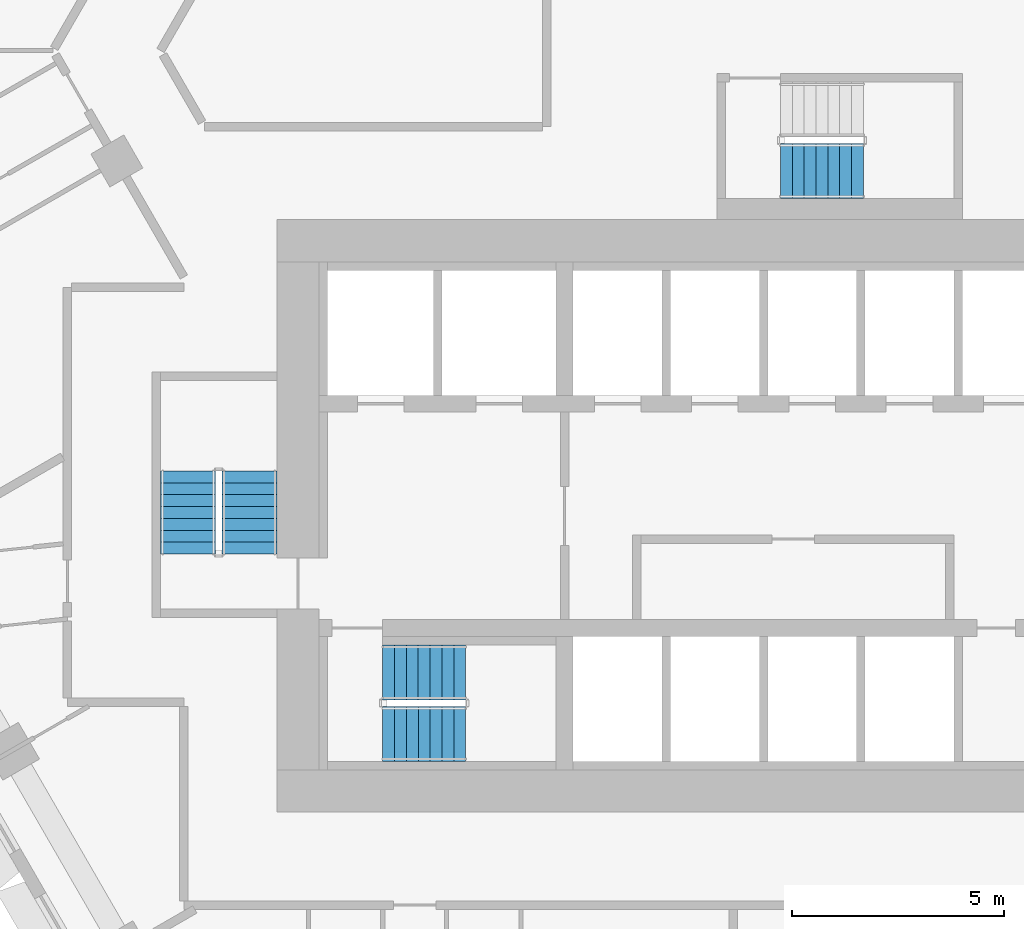
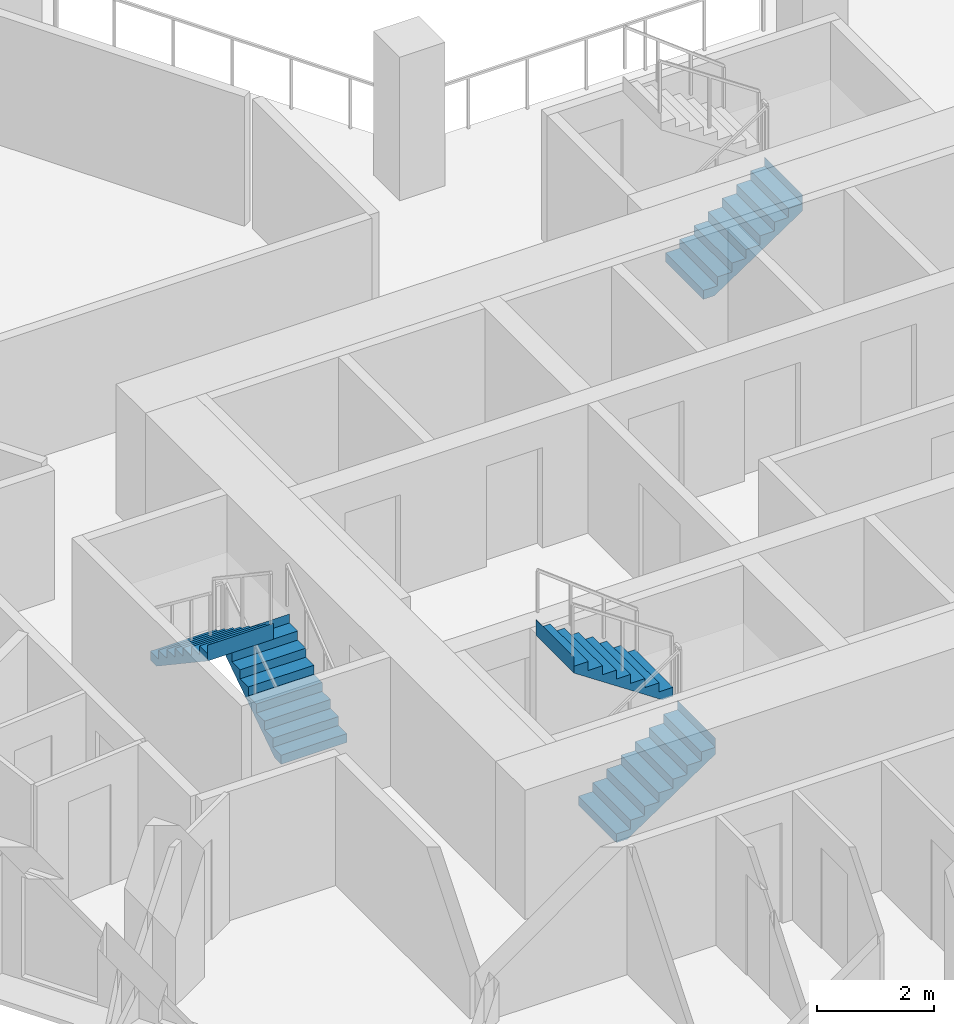
# One storey, part 13 of 18: 5 stair flights, 3 elements without a shape of their own.
"""IFC4 building model written with IfcOpenShell, lengths in metres."""

import ifcopenshell
import ifcopenshell.guid

model = None  # the IFC model being written
_history = None  # IfcOwnerHistory: only IFC2X3 demands one
_inside = {}  # id of a spatial element -> (the spatial element, [elements in it])
_under = {}  # id of a project, library or spatial element -> (it, [spatial elements below it])
_declared = {}  # id of a project -> (the project, [libraries it declares])
_typed = {}  # id of a type object -> (the type object, [elements of that type])
_made_of = {}  # id of a material, layer set ... -> (it, [elements and type objects made of it])


def new_model(schema):
    """Start an empty IFC model of exactly this schema.

    Asked for "IFC4X3", IfcOpenShell would pick the latest addendum, in which some entities
    have other attributes; the version numbers below select the first issue.
    IFC2X3 requires an IfcOwnerHistory on every rooted entity: one is made here for all.
    """
    global model, _history
    if schema == "IFC4X3":
        model = ifcopenshell.file(schema_version=(4, 3, 0, 0))
    else:
        model = ifcopenshell.file(schema=schema)
    _inside.clear()
    _under.clear()
    _declared.clear()
    _typed.clear()
    _made_of.clear()
    _history = None
    if model.schema == "IFC2X3":
        org = make("IfcOrganization", Name="unknown")
        user = make(
            "IfcPersonAndOrganization",
            ThePerson=make("IfcPerson", FamilyName="unknown"),
            TheOrganization=org,
        )
        app = make(
            "IfcApplication",
            ApplicationDeveloper=org,
            Version="unknown",
            ApplicationFullName="unknown",
            ApplicationIdentifier="unknown",
        )
        _history = make(
            "IfcOwnerHistory",
            OwningUser=user,
            OwningApplication=app,
            ChangeAction="ADDED",
            CreationDate=0,
        )
    return model


def make(cls, **values):
    """One entity of the class cls with the attributes given. An attribute that is None is left unset."""
    return model.create_entity(
        cls, **{name: value for name, value in values.items() if value is not None}
    )


def rooted(cls, **values):
    """An entity with a GlobalId (a new one), such as an element, a storey or a relation."""
    return make(cls, GlobalId=ifcopenshell.guid.new(), OwnerHistory=_history, **values)


def si_unit(unit_type, name, prefix=None):
    """IfcSIUnit, for example si_unit("LENGTHUNIT", "METRE", prefix="MILLI")."""
    return make("IfcSIUnit", UnitType=unit_type, Prefix=prefix, Name=name)


def assignment(units):
    """IfcUnitAssignment: the units of a project."""
    return None if units is None else make("IfcUnitAssignment", Units=units)


def point(xyz):
    """IfcCartesianPoint."""
    return None if xyz is None else make("IfcCartesianPoint", Coordinates=xyz)


def direction(xyz):
    """IfcDirection."""
    return None if xyz is None else make("IfcDirection", DirectionRatios=xyz)


def frame(location, z_axis=None, x_axis=None):
    """IfcAxis2Placement3D, a coordinate frame: its origin and axes. An axis left out is left unset."""
    return make(
        "IfcAxis2Placement3D",
        Location=point(location),
        Axis=direction(z_axis),
        RefDirection=direction(x_axis),
    )


def origin():
    """The frame at (0, 0, 0) with its axes left unset."""
    return frame((0.0, 0.0, 0.0))


def place(relative_to, where):
    """IfcLocalPlacement: puts the frame where relative to a parent placement (None: the world)."""
    return make(
        "IfcLocalPlacement", PlacementRelTo=relative_to, RelativePlacement=where
    )


def context(
    kind, dimensions, precision=None, world=None, true_north=None, identifier=None
):
    """IfcGeometricRepresentationContext, for example the 3D "Model" context."""
    return make(
        "IfcGeometricRepresentationContext",
        ContextIdentifier=identifier,
        ContextType=kind,
        CoordinateSpaceDimension=dimensions,
        Precision=precision,
        WorldCoordinateSystem=world,
        TrueNorth=true_north,
    )


def subcontext(parent, identifier, kind, view, scale=None):
    """IfcGeometricRepresentationSubContext, for example "Body" below "Model"."""
    return make(
        "IfcGeometricRepresentationSubContext",
        ContextIdentifier=identifier,
        ContextType=kind,
        ParentContext=parent,
        TargetScale=scale,
        TargetView=view,
    )


def project(units=None, contexts=None):
    """IfcProject with its units and contexts."""
    return rooted(
        "IfcProject",
        Name="project",
        RepresentationContexts=contexts,
        UnitsInContext=assignment(units),
    )


def spatial(cls, under=None, at=None, **own):
    """A site, building, storey or space (cls), placed at a placement, below another one or the project."""
    s = rooted(cls, ObjectPlacement=at, **own)
    if under is not None:
        _under.setdefault(under.id(), (under, []))[1].append(s)
    return s


def point_list(points):
    """IfcCartesianPointList2D or 3D."""
    cls = (
        "IfcCartesianPointList2D" if len(points[0]) == 2 else "IfcCartesianPointList3D"
    )
    return make(cls, CoordList=points)


def triangles(points, corners, closed=None, point_numbers=None):
    """IfcTriangulatedFaceSet: each triangle names its three corners, points numbered from 1."""
    return make(
        "IfcTriangulatedFaceSet",
        Coordinates=point_list(points),
        Closed=closed,
        CoordIndex=corners,
        PnIndex=point_numbers,
    )


def shape(context_of_items, identifier, shape_type, items):
    """IfcShapeRepresentation: the items that make up one representation, for example the "Body"."""
    return make(
        "IfcShapeRepresentation",
        ContextOfItems=context_of_items,
        RepresentationIdentifier=identifier,
        RepresentationType=shape_type,
        Items=items,
    )


def material(Name=None, Category=None):
    """IfcMaterial."""
    return make("IfcMaterial", Name=Name, Category=Category)


def made_of(thing, what):
    """Note that an element or type object is made of a material, layer set ...; save() writes the relation."""
    if what is not None:
        _made_of.setdefault(what.id(), (what, []))[1].append(thing)
    return thing


def type_object(cls, material=None, **own):
    """A type object (cls), such as IfcWallType, which elements share."""
    return made_of(rooted(cls, **own), material)


def element(
    cls,
    number,
    at=None,
    inside=None,
    cuts=None,
    type_object=None,
    material=None,
    context=None,
    identifier="Body",
    shape_type=None,
    held_by="IfcProductDefinitionShape",
    body=None,
    shapes=None,
    **own,
):
    """One element of the class cls, such as IfcWall. Its Tag is "e" and its number.

    at: its placement. inside: the storey or other place that contains it. cuts: it is an
    opening in that element (IfcRelVoidsElement). A single representation is given by context,
    identifier, shape_type and body (its items); several are given by shapes. held_by: the class
    of the entity that holds the representations. save() writes the other relations.
    """
    e = rooted(cls, Tag="e%d" % number, ObjectPlacement=at, **own)
    if body is not None:
        shapes = [shape(context, identifier, shape_type, body)]
    if shapes is not None:
        e.Representation = make(held_by, Representations=shapes)
    if inside is not None:
        _inside.setdefault(inside.id(), (inside, []))[1].append(e)
    if cuts is not None:
        rooted(
            "IfcRelVoidsElement", RelatingBuildingElement=cuts, RelatedOpeningElement=e
        )
    if type_object is not None:
        _typed.setdefault(type_object.id(), (type_object, []))[1].append(e)
    return made_of(e, material)


def aggregate(whole, parts):
    """IfcRelAggregates: a whole, such as a stair, and the parts it consists of."""
    return rooted("IfcRelAggregates", RelatingObject=whole, RelatedObjects=parts)


def save(model, path):
    """Write the relations noted so far, then the file.

    IfcRelAggregates (storeys below a building ...), IfcRelContainedInSpatialStructure (elements
    in a storey), IfcRelDefinesByType, IfcRelAssociatesMaterial and IfcRelDeclares: one each for
    every whole, place, type object, material and project.
    """
    for whole, parts in _under.values():
        aggregate(whole, parts)
    for where, things in _inside.values():
        rooted(
            "IfcRelContainedInSpatialStructure",
            RelatedElements=things,
            RelatingStructure=where,
        )
    for kind, things in _typed.values():
        rooted("IfcRelDefinesByType", RelatedObjects=things, RelatingType=kind)
    for what, things in _made_of.values():
        rooted("IfcRelAssociatesMaterial", RelatedObjects=things, RelatingMaterial=what)
    for by, libraries in _declared.values():
        rooted("IfcRelDeclares", RelatingContext=by, RelatedDefinitions=libraries)
    model.write(path)


model = new_model("IFC4")

# Units and contexts
model_context = context("Model", 3, precision=1e-05, world=origin(), true_north=direction((0.0, 1.0)))
body_context = subcontext(model_context, "Body", "Model", "MODEL_VIEW")
ifc_project = project(units=[si_unit("LENGTHUNIT", "METRE"), si_unit("AREAUNIT", "SQUARE_METRE"), si_unit("VOLUMEUNIT", "CUBIC_METRE"), si_unit("PLANEANGLEUNIT", "RADIAN"), si_unit("MASSUNIT", "GRAM", prefix="KILO")], contexts=[model_context])

# Site, building, storey
site_placement = place(None, origin())
site = spatial("IfcSite", under=ifc_project, at=site_placement, CompositionType="ELEMENT")
building_placement = place(site_placement, origin())
building = spatial("IfcBuilding", under=site, at=building_placement, Name="Beryl Residences", CompositionType="ELEMENT")
storey_placement = place(building_placement, frame((0.0, 0.0, 87.0)))
storey = spatial("IfcBuildingStorey", under=building, at=storey_placement, Name="L26", CompositionType="ELEMENT", Elevation=87.0)

# Stair, stair flights
ifc_material_1 = material(Name="Concrete C40/50", Category="concrete")
stair_type = type_object("IfcStairType", Name="ST1 protected exit stair, half-turn, 1300 mm flights", PredefinedType="HALF_TURN_STAIR", material=ifc_material_1)
stair_1_placement = place(storey_placement, origin())
stair_1 = element("IfcStair", 1, at=stair_1_placement, inside=storey, type_object=stair_type, Name="L26 PROTECTED EXIT STAIR ST-1", PredefinedType="HALF_TURN_STAIR")
ifc_material_2 = material(Name="Concrete C40/50", Category="concrete")
stair_flight_type = type_object("IfcStairFlightType", Name="SF1 stair flight 1300 mm", PredefinedType="STRAIGHT", material=ifc_material_2)
stair_flight_1_placement = place(storey_placement, frame((-10.800048828125, -17.14990234375, 0.0), z_axis=(0.0, 0.0, 1.0), x_axis=(1.0, 0.0, 0.0)))
stair_flight_1 = element("IfcStairFlight", 2, at=stair_flight_1_placement, type_object=stair_flight_type, Name="ST-1 flight 1", NumberOfRisers=8, NumberOfTreads=7, PredefinedType="STRAIGHT", RiserHeight=0.1875, TreadLength=0.28, context=body_context, shape_type="Tessellation", body=[
    triangles([(0.0, -0.64990234375, 0.0), (0.0, -0.324951171875, 0.0), (0.0, 0.0, 0.0), (0.0, 0.324951171875, 0.0), (0.0, 0.64990234375, 0.0), (0.0, -0.64990234375, 0.1875), (0.0, -0.324951171875, 0.1875), (0.0, 0.0, 0.1875), (0.0, 0.324951171875, 0.1875), (0.0, 0.64990234375, 0.1875), (0.280029296875, -0.64990234375, 0.1875), (0.280029296875, -0.324951171875, 0.1875), (0.280029296875, 0.0, 0.1875), (0.280029296875, 0.324951171875, 0.1875), (0.280029296875, 0.64990234375, 0.1875), (0.280029296875, -0.64990234375, 0.375), (0.280029296875, -0.324951171875, 0.375), (0.280029296875, 0.0, 0.375), (0.280029296875, 0.324951171875, 0.375), (0.280029296875, 0.64990234375, 0.375), (0.56005859375, -0.64990234375, 0.375), (0.56005859375, -0.324951171875, 0.375), (0.56005859375, 0.0, 0.375), (0.56005859375, 0.324951171875, 0.375), (0.56005859375, 0.64990234375, 0.375), (0.56005859375, -0.64990234375, 0.5625), (0.56005859375, -0.324951171875, 0.5625), (0.56005859375, 0.0, 0.5625), (0.56005859375, 0.324951171875, 0.5625), (0.56005859375, 0.64990234375, 0.5625), (0.840087890625, -0.64990234375, 0.5625), (0.840087890625, -0.324951171875, 0.5625), (0.840087890625, 0.0, 0.5625), (0.840087890625, 0.324951171875, 0.5625), (0.840087890625, 0.64990234375, 0.5625), (0.840087890625, -0.64990234375, 0.75), (0.840087890625, -0.324951171875, 0.75), (0.840087890625, 0.0, 0.75), (0.840087890625, 0.324951171875, 0.75), (0.840087890625, 0.64990234375, 0.75), (1.1201171875, -0.64990234375, 0.75), (1.1201171875, -0.324951171875, 0.75), (1.1201171875, 0.0, 0.75), (1.1201171875, 0.324951171875, 0.75), (1.1201171875, 0.64990234375, 0.75), (1.1201171875, -0.64990234375, 0.9375), (1.1201171875, -0.324951171875, 0.9375), (1.1201171875, 0.0, 0.9375), (1.1201171875, 0.324951171875, 0.9375), (1.1201171875, 0.64990234375, 0.9375), (1.39990234375, -0.64990234375, 0.9375), (1.39990234375, -0.324951171875, 0.9375), (1.39990234375, 0.0, 0.9375), (1.39990234375, 0.324951171875, 0.9375), (1.39990234375, 0.64990234375, 0.9375), (1.39990234375, -0.64990234375, 1.125), (1.39990234375, -0.324951171875, 1.125), (1.39990234375, 0.0, 1.125), (1.39990234375, 0.324951171875, 1.125), (1.39990234375, 0.64990234375, 1.125), (1.679931640625, -0.64990234375, 1.125), (1.679931640625, -0.324951171875, 1.125), (1.679931640625, 0.0, 1.125), (1.679931640625, 0.324951171875, 1.125), (1.679931640625, 0.64990234375, 1.125), (1.679931640625, -0.64990234375, 1.3125), (1.679931640625, -0.324951171875, 1.3125), (1.679931640625, 0.0, 1.3125), (1.679931640625, 0.324951171875, 1.3125), (1.679931640625, 0.64990234375, 1.3125), (1.9599609375, -0.64990234375, 1.3125), (1.9599609375, -0.324951171875, 1.3125), (1.9599609375, 0.0, 1.3125), (1.9599609375, 0.324951171875, 1.3125), (1.9599609375, 0.64990234375, 1.3125), (1.9599609375, -0.64990234375, 1.5), (1.9599609375, -0.324951171875, 1.5), (1.9599609375, 0.0, 1.5), (1.9599609375, 0.324951171875, 1.5), (1.9599609375, 0.64990234375, 1.5), (1.9609375, -0.64990234375, 1.5), (1.9609375, -0.324951171875, 1.5), (1.9609375, 0.0, 1.5), (1.9609375, 0.324951171875, 1.5), (1.9609375, 0.64990234375, 1.5), (1.9609375, -0.64990234375, 1.16796875), (1.9609375, -0.324951171875, 1.16796875), (1.9609375, 0.0, 1.16796875), (1.9609375, 0.324951171875, 1.16796875), (1.9609375, 0.64990234375, 1.16796875), (0.216796875, -0.64990234375, 0.0), (0.216796875, -0.324951171875, 0.0), (0.216796875, 0.0, 0.0), (0.216796875, 0.324951171875, 0.0), (0.216796875, 0.64990234375, 0.0)], [[1, 6, 7], [1, 7, 2], [2, 7, 8], [2, 8, 3], [3, 8, 9], [3, 9, 4], [4, 9, 10], [4, 10, 5], [6, 11, 12], [6, 12, 7], [7, 12, 13], [7, 13, 8], [8, 13, 14], [8, 14, 9], [9, 14, 15], [9, 15, 10], [11, 16, 17], [11, 17, 12], [12, 17, 18], [12, 18, 13], [13, 18, 19], [13, 19, 14], [14, 19, 20], [14, 20, 15], [16, 21, 22], [16, 22, 17], [17, 22, 23], [17, 23, 18], [18, 23, 24], [18, 24, 19], [19, 24, 25], [19, 25, 20], [21, 26, 27], [21, 27, 22], [22, 27, 28], [22, 28, 23], [23, 28, 29], [23, 29, 24], [24, 29, 30], [24, 30, 25], [26, 31, 32], [26, 32, 27], [27, 32, 33], [27, 33, 28], [28, 33, 34], [28, 34, 29], [29, 34, 35], [29, 35, 30], [31, 36, 37], [31, 37, 32], [32, 37, 38], [32, 38, 33], [33, 38, 39], [33, 39, 34], [34, 39, 40], [34, 40, 35], [36, 41, 42], [36, 42, 37], [37, 42, 43], [37, 43, 38], [38, 43, 44], [38, 44, 39], [39, 44, 45], [39, 45, 40], [41, 46, 47], [41, 47, 42], [42, 47, 48], [42, 48, 43], [43, 48, 49], [43, 49, 44], [44, 49, 50], [44, 50, 45], [46, 51, 52], [46, 52, 47], [47, 52, 53], [47, 53, 48], [48, 53, 54], [48, 54, 49], [49, 54, 55], [49, 55, 50], [51, 56, 57], [51, 57, 52], [52, 57, 58], [52, 58, 53], [53, 58, 59], [53, 59, 54], [54, 59, 60], [54, 60, 55], [56, 61, 62], [56, 62, 57], [57, 62, 63], [57, 63, 58], [58, 63, 64], [58, 64, 59], [59, 64, 65], [59, 65, 60], [61, 66, 67], [61, 67, 62], [62, 67, 68], [62, 68, 63], [63, 68, 69], [63, 69, 64], [64, 69, 70], [64, 70, 65], [66, 71, 72], [66, 72, 67], [67, 72, 73], [67, 73, 68], [68, 73, 74], [68, 74, 69], [69, 74, 75], [69, 75, 70], [71, 76, 77], [71, 77, 72], [72, 77, 78], [72, 78, 73], [73, 78, 79], [73, 79, 74], [74, 79, 80], [74, 80, 75], [76, 81, 82], [76, 82, 77], [77, 82, 83], [77, 83, 78], [78, 83, 84], [78, 84, 79], [79, 84, 85], [79, 85, 80], [81, 86, 87], [81, 87, 82], [82, 87, 88], [82, 88, 83], [83, 88, 89], [83, 89, 84], [84, 89, 90], [84, 90, 85], [86, 91, 92], [86, 92, 87], [87, 92, 93], [87, 93, 88], [88, 93, 94], [88, 94, 89], [89, 94, 95], [89, 95, 90], [91, 1, 2], [91, 2, 92], [92, 2, 3], [92, 3, 93], [93, 3, 4], [93, 4, 94], [94, 4, 5], [94, 5, 95], [1, 91, 86], [5, 90, 95], [86, 81, 76], [90, 80, 85], [86, 76, 71], [90, 75, 80], [86, 71, 66], [90, 70, 75], [86, 66, 61], [90, 65, 70], [61, 56, 51], [65, 55, 60], [86, 61, 51], [90, 55, 65], [51, 46, 41], [55, 45, 50], [86, 51, 41], [90, 45, 55], [41, 36, 31], [45, 35, 40], [86, 41, 31], [90, 35, 45], [31, 26, 21], [35, 25, 30], [86, 31, 21], [90, 25, 35], [21, 16, 11], [25, 15, 20], [86, 21, 11], [90, 15, 25], [1, 86, 11], [5, 15, 90], [11, 6, 1], [15, 5, 10]], closed=True),
])
stair_flight_2_placement = place(storey_placement, frame((-8.840087890625, -15.699951171875, 1.5), z_axis=(0.0, 0.0, 1.0), x_axis=(-1.0, 0.0, 0.0)))
stair_flight_2 = element("IfcStairFlight", 3, at=stair_flight_2_placement, type_object=stair_flight_type, Name="ST-1 flight 2", NumberOfRisers=8, NumberOfTreads=7, PredefinedType="STRAIGHT", RiserHeight=0.1875, TreadLength=0.28, context=body_context, shape_type="Tessellation", body=[
    triangles([(0.0, -0.64990234375, 0.0), (0.0, -0.324951171875, 0.0), (0.0, 0.0, 0.0), (0.0, 0.324951171875, 0.0), (0.0, 0.64990234375, 0.0), (0.0, -0.64990234375, 0.1875), (0.0, -0.324951171875, 0.1875), (0.0, 0.0, 0.1875), (0.0, 0.324951171875, 0.1875), (0.0, 0.64990234375, 0.1875), (0.280029296875, -0.64990234375, 0.1875), (0.280029296875, -0.324951171875, 0.1875), (0.280029296875, 0.0, 0.1875), (0.280029296875, 0.324951171875, 0.1875), (0.280029296875, 0.64990234375, 0.1875), (0.280029296875, -0.64990234375, 0.375), (0.280029296875, -0.324951171875, 0.375), (0.280029296875, 0.0, 0.375), (0.280029296875, 0.324951171875, 0.375), (0.280029296875, 0.64990234375, 0.375), (0.56005859375, -0.64990234375, 0.375), (0.56005859375, -0.324951171875, 0.375), (0.56005859375, 0.0, 0.375), (0.56005859375, 0.324951171875, 0.375), (0.56005859375, 0.64990234375, 0.375), (0.56005859375, -0.64990234375, 0.5625), (0.56005859375, -0.324951171875, 0.5625), (0.56005859375, 0.0, 0.5625), (0.56005859375, 0.324951171875, 0.5625), (0.56005859375, 0.64990234375, 0.5625), (0.840087890625, -0.64990234375, 0.5625), (0.840087890625, -0.324951171875, 0.5625), (0.840087890625, 0.0, 0.5625), (0.840087890625, 0.324951171875, 0.5625), (0.840087890625, 0.64990234375, 0.5625), (0.840087890625, -0.64990234375, 0.75), (0.840087890625, -0.324951171875, 0.75), (0.840087890625, 0.0, 0.75), (0.840087890625, 0.324951171875, 0.75), (0.840087890625, 0.64990234375, 0.75), (1.1201171875, -0.64990234375, 0.75), (1.1201171875, -0.324951171875, 0.75), (1.1201171875, 0.0, 0.75), (1.1201171875, 0.324951171875, 0.75), (1.1201171875, 0.64990234375, 0.75), (1.1201171875, -0.64990234375, 0.9375), (1.1201171875, -0.324951171875, 0.9375), (1.1201171875, 0.0, 0.9375), (1.1201171875, 0.324951171875, 0.9375), (1.1201171875, 0.64990234375, 0.9375), (1.39990234375, -0.64990234375, 0.9375), (1.39990234375, -0.324951171875, 0.9375), (1.39990234375, 0.0, 0.9375), (1.39990234375, 0.324951171875, 0.9375), (1.39990234375, 0.64990234375, 0.9375), (1.39990234375, -0.64990234375, 1.125), (1.39990234375, -0.324951171875, 1.125), (1.39990234375, 0.0, 1.125), (1.39990234375, 0.324951171875, 1.125), (1.39990234375, 0.64990234375, 1.125), (1.679931640625, -0.64990234375, 1.125), (1.679931640625, -0.324951171875, 1.125), (1.679931640625, 0.0, 1.125), (1.679931640625, 0.324951171875, 1.125), (1.679931640625, 0.64990234375, 1.125), (1.679931640625, -0.64990234375, 1.3125), (1.679931640625, -0.324951171875, 1.3125), (1.679931640625, 0.0, 1.3125), (1.679931640625, 0.324951171875, 1.3125), (1.679931640625, 0.64990234375, 1.3125), (1.9599609375, -0.64990234375, 1.3125), (1.9599609375, -0.324951171875, 1.3125), (1.9599609375, 0.0, 1.3125), (1.9599609375, 0.324951171875, 1.3125), (1.9599609375, 0.64990234375, 1.3125), (1.9599609375, -0.64990234375, 1.5), (1.9599609375, -0.324951171875, 1.5), (1.9599609375, 0.0, 1.5), (1.9599609375, 0.324951171875, 1.5), (1.9599609375, 0.64990234375, 1.5), (1.9609375, -0.64990234375, 1.5), (1.9609375, -0.324951171875, 1.5), (1.9609375, 0.0, 1.5), (1.9609375, 0.324951171875, 1.5), (1.9609375, 0.64990234375, 1.5), (1.9609375, -0.64990234375, 1.16796875), (1.9609375, -0.324951171875, 1.16796875), (1.9609375, 0.0, 1.16796875), (1.9609375, 0.324951171875, 1.16796875), (1.9609375, 0.64990234375, 1.16796875), (0.216796875, -0.64990234375, 0.0), (0.216796875, -0.324951171875, 0.0), (0.216796875, 0.0, 0.0), (0.216796875, 0.324951171875, 0.0), (0.216796875, 0.64990234375, 0.0)], [[1, 6, 7], [1, 7, 2], [2, 7, 8], [2, 8, 3], [3, 8, 9], [3, 9, 4], [4, 9, 10], [4, 10, 5], [6, 11, 12], [6, 12, 7], [7, 12, 13], [7, 13, 8], [8, 13, 14], [8, 14, 9], [9, 14, 15], [9, 15, 10], [11, 16, 17], [11, 17, 12], [12, 17, 18], [12, 18, 13], [13, 18, 19], [13, 19, 14], [14, 19, 20], [14, 20, 15], [16, 21, 22], [16, 22, 17], [17, 22, 23], [17, 23, 18], [18, 23, 24], [18, 24, 19], [19, 24, 25], [19, 25, 20], [21, 26, 27], [21, 27, 22], [22, 27, 28], [22, 28, 23], [23, 28, 29], [23, 29, 24], [24, 29, 30], [24, 30, 25], [26, 31, 32], [26, 32, 27], [27, 32, 33], [27, 33, 28], [28, 33, 34], [28, 34, 29], [29, 34, 35], [29, 35, 30], [31, 36, 37], [31, 37, 32], [32, 37, 38], [32, 38, 33], [33, 38, 39], [33, 39, 34], [34, 39, 40], [34, 40, 35], [36, 41, 42], [36, 42, 37], [37, 42, 43], [37, 43, 38], [38, 43, 44], [38, 44, 39], [39, 44, 45], [39, 45, 40], [41, 46, 47], [41, 47, 42], [42, 47, 48], [42, 48, 43], [43, 48, 49], [43, 49, 44], [44, 49, 50], [44, 50, 45], [46, 51, 52], [46, 52, 47], [47, 52, 53], [47, 53, 48], [48, 53, 54], [48, 54, 49], [49, 54, 55], [49, 55, 50], [51, 56, 57], [51, 57, 52], [52, 57, 58], [52, 58, 53], [53, 58, 59], [53, 59, 54], [54, 59, 60], [54, 60, 55], [56, 61, 62], [56, 62, 57], [57, 62, 63], [57, 63, 58], [58, 63, 64], [58, 64, 59], [59, 64, 65], [59, 65, 60], [61, 66, 67], [61, 67, 62], [62, 67, 68], [62, 68, 63], [63, 68, 69], [63, 69, 64], [64, 69, 70], [64, 70, 65], [66, 71, 72], [66, 72, 67], [67, 72, 73], [67, 73, 68], [68, 73, 74], [68, 74, 69], [69, 74, 75], [69, 75, 70], [71, 76, 77], [71, 77, 72], [72, 77, 78], [72, 78, 73], [73, 78, 79], [73, 79, 74], [74, 79, 80], [74, 80, 75], [76, 81, 82], [76, 82, 77], [77, 82, 83], [77, 83, 78], [78, 83, 84], [78, 84, 79], [79, 84, 85], [79, 85, 80], [81, 86, 87], [81, 87, 82], [82, 87, 88], [82, 88, 83], [83, 88, 89], [83, 89, 84], [84, 89, 90], [84, 90, 85], [86, 91, 92], [86, 92, 87], [87, 92, 93], [87, 93, 88], [88, 93, 94], [88, 94, 89], [89, 94, 95], [89, 95, 90], [91, 1, 2], [91, 2, 92], [92, 2, 3], [92, 3, 93], [93, 3, 4], [93, 4, 94], [94, 4, 5], [94, 5, 95], [1, 91, 86], [5, 90, 95], [86, 81, 76], [90, 80, 85], [86, 76, 71], [90, 75, 80], [86, 71, 66], [90, 70, 75], [86, 66, 61], [90, 65, 70], [61, 56, 51], [65, 55, 60], [86, 61, 51], [90, 55, 65], [51, 46, 41], [55, 45, 50], [86, 51, 41], [90, 45, 55], [41, 36, 31], [45, 35, 40], [86, 41, 31], [90, 35, 45], [31, 26, 21], [35, 25, 30], [86, 31, 21], [90, 25, 35], [21, 16, 11], [25, 15, 20], [86, 21, 11], [90, 15, 25], [1, 86, 11], [5, 15, 90], [11, 6, 1], [15, 5, 10]], closed=True),
])
aggregate(stair_1, [stair_flight_1, stair_flight_2])

stair_2_placement = place(storey_placement, origin())
stair_2 = element("IfcStair", 4, at=stair_2_placement, inside=storey, type_object=stair_type, Name="L26 PROTECTED EXIT STAIR ST-2", PredefinedType="HALF_TURN_STAIR")
stair_flight_3_placement = place(storey_placement, frame((-13.949951171875, -12.89990234375, 0.0), z_axis=(0.0, 0.0, 1.0), x_axis=(0.0, 1.0, 0.0)))
stair_flight_3 = element("IfcStairFlight", 5, at=stair_flight_3_placement, type_object=stair_flight_type, Name="ST-2 flight 1", NumberOfRisers=8, NumberOfTreads=7, PredefinedType="STRAIGHT", RiserHeight=0.1875, TreadLength=0.28, context=body_context, shape_type="Tessellation", body=[
    triangles([(0.0, -0.64990234375, 0.0), (0.0, -0.324951171875, 0.0), (0.0, 0.0, 0.0), (0.0, 0.324951171875, 0.0), (0.0, 0.64990234375, 0.0), (0.0, -0.64990234375, 0.1875), (0.0, -0.324951171875, 0.1875), (0.0, 0.0, 0.1875), (0.0, 0.324951171875, 0.1875), (0.0, 0.64990234375, 0.1875), (0.280029296875, -0.64990234375, 0.1875), (0.280029296875, -0.324951171875, 0.1875), (0.280029296875, 0.0, 0.1875), (0.280029296875, 0.324951171875, 0.1875), (0.280029296875, 0.64990234375, 0.1875), (0.280029296875, -0.64990234375, 0.375), (0.280029296875, -0.324951171875, 0.375), (0.280029296875, 0.0, 0.375), (0.280029296875, 0.324951171875, 0.375), (0.280029296875, 0.64990234375, 0.375), (0.56005859375, -0.64990234375, 0.375), (0.56005859375, -0.324951171875, 0.375), (0.56005859375, 0.0, 0.375), (0.56005859375, 0.324951171875, 0.375), (0.56005859375, 0.64990234375, 0.375), (0.56005859375, -0.64990234375, 0.5625), (0.56005859375, -0.324951171875, 0.5625), (0.56005859375, 0.0, 0.5625), (0.56005859375, 0.324951171875, 0.5625), (0.56005859375, 0.64990234375, 0.5625), (0.840087890625, -0.64990234375, 0.5625), (0.840087890625, -0.324951171875, 0.5625), (0.840087890625, 0.0, 0.5625), (0.840087890625, 0.324951171875, 0.5625), (0.840087890625, 0.64990234375, 0.5625), (0.840087890625, -0.64990234375, 0.75), (0.840087890625, -0.324951171875, 0.75), (0.840087890625, 0.0, 0.75), (0.840087890625, 0.324951171875, 0.75), (0.840087890625, 0.64990234375, 0.75), (1.1201171875, -0.64990234375, 0.75), (1.1201171875, -0.324951171875, 0.75), (1.1201171875, 0.0, 0.75), (1.1201171875, 0.324951171875, 0.75), (1.1201171875, 0.64990234375, 0.75), (1.1201171875, -0.64990234375, 0.9375), (1.1201171875, -0.324951171875, 0.9375), (1.1201171875, 0.0, 0.9375), (1.1201171875, 0.324951171875, 0.9375), (1.1201171875, 0.64990234375, 0.9375), (1.39990234375, -0.64990234375, 0.9375), (1.39990234375, -0.324951171875, 0.9375), (1.39990234375, 0.0, 0.9375), (1.39990234375, 0.324951171875, 0.9375), (1.39990234375, 0.64990234375, 0.9375), (1.39990234375, -0.64990234375, 1.125), (1.39990234375, -0.324951171875, 1.125), (1.39990234375, 0.0, 1.125), (1.39990234375, 0.324951171875, 1.125), (1.39990234375, 0.64990234375, 1.125), (1.679931640625, -0.64990234375, 1.125), (1.679931640625, -0.324951171875, 1.125), (1.679931640625, 0.0, 1.125), (1.679931640625, 0.324951171875, 1.125), (1.679931640625, 0.64990234375, 1.125), (1.679931640625, -0.64990234375, 1.3125), (1.679931640625, -0.324951171875, 1.3125), (1.679931640625, 0.0, 1.3125), (1.679931640625, 0.324951171875, 1.3125), (1.679931640625, 0.64990234375, 1.3125), (1.9599609375, -0.64990234375, 1.3125), (1.9599609375, -0.324951171875, 1.3125), (1.9599609375, 0.0, 1.3125), (1.9599609375, 0.324951171875, 1.3125), (1.9599609375, 0.64990234375, 1.3125), (1.9599609375, -0.64990234375, 1.5), (1.9599609375, -0.324951171875, 1.5), (1.9599609375, 0.0, 1.5), (1.9599609375, 0.324951171875, 1.5), (1.9599609375, 0.64990234375, 1.5), (1.9609375, -0.64990234375, 1.5), (1.9609375, -0.324951171875, 1.5), (1.9609375, 0.0, 1.5), (1.9609375, 0.324951171875, 1.5), (1.9609375, 0.64990234375, 1.5), (1.9609375, -0.64990234375, 1.16796875), (1.9609375, -0.324951171875, 1.16796875), (1.9609375, 0.0, 1.16796875), (1.9609375, 0.324951171875, 1.16796875), (1.9609375, 0.64990234375, 1.16796875), (0.216796875, -0.64990234375, 0.0), (0.216796875, -0.324951171875, 0.0), (0.216796875, 0.0, 0.0), (0.216796875, 0.324951171875, 0.0), (0.216796875, 0.64990234375, 0.0)], [[1, 6, 7], [1, 7, 2], [2, 7, 8], [2, 8, 3], [3, 8, 9], [3, 9, 4], [4, 9, 10], [4, 10, 5], [6, 11, 12], [6, 12, 7], [7, 12, 13], [7, 13, 8], [8, 13, 14], [8, 14, 9], [9, 14, 15], [9, 15, 10], [11, 16, 17], [11, 17, 12], [12, 17, 18], [12, 18, 13], [13, 18, 19], [13, 19, 14], [14, 19, 20], [14, 20, 15], [16, 21, 22], [16, 22, 17], [17, 22, 23], [17, 23, 18], [18, 23, 24], [18, 24, 19], [19, 24, 25], [19, 25, 20], [21, 26, 27], [21, 27, 22], [22, 27, 28], [22, 28, 23], [23, 28, 29], [23, 29, 24], [24, 29, 30], [24, 30, 25], [26, 31, 32], [26, 32, 27], [27, 32, 33], [27, 33, 28], [28, 33, 34], [28, 34, 29], [29, 34, 35], [29, 35, 30], [31, 36, 37], [31, 37, 32], [32, 37, 38], [32, 38, 33], [33, 38, 39], [33, 39, 34], [34, 39, 40], [34, 40, 35], [36, 41, 42], [36, 42, 37], [37, 42, 43], [37, 43, 38], [38, 43, 44], [38, 44, 39], [39, 44, 45], [39, 45, 40], [41, 46, 47], [41, 47, 42], [42, 47, 48], [42, 48, 43], [43, 48, 49], [43, 49, 44], [44, 49, 50], [44, 50, 45], [46, 51, 52], [46, 52, 47], [47, 52, 53], [47, 53, 48], [48, 53, 54], [48, 54, 49], [49, 54, 55], [49, 55, 50], [51, 56, 57], [51, 57, 52], [52, 57, 58], [52, 58, 53], [53, 58, 59], [53, 59, 54], [54, 59, 60], [54, 60, 55], [56, 61, 62], [56, 62, 57], [57, 62, 63], [57, 63, 58], [58, 63, 64], [58, 64, 59], [59, 64, 65], [59, 65, 60], [61, 66, 67], [61, 67, 62], [62, 67, 68], [62, 68, 63], [63, 68, 69], [63, 69, 64], [64, 69, 70], [64, 70, 65], [66, 71, 72], [66, 72, 67], [67, 72, 73], [67, 73, 68], [68, 73, 74], [68, 74, 69], [69, 74, 75], [69, 75, 70], [71, 76, 77], [71, 77, 72], [72, 77, 78], [72, 78, 73], [73, 78, 79], [73, 79, 74], [74, 79, 80], [74, 80, 75], [76, 81, 82], [76, 82, 77], [77, 82, 83], [77, 83, 78], [78, 83, 84], [78, 84, 79], [79, 84, 85], [79, 85, 80], [81, 86, 87], [81, 87, 82], [82, 87, 88], [82, 88, 83], [83, 88, 89], [83, 89, 84], [84, 89, 90], [84, 90, 85], [86, 91, 92], [86, 92, 87], [87, 92, 93], [87, 93, 88], [88, 93, 94], [88, 94, 89], [89, 94, 95], [89, 95, 90], [91, 1, 2], [91, 2, 92], [92, 2, 3], [92, 3, 93], [93, 3, 4], [93, 4, 94], [94, 4, 5], [94, 5, 95], [1, 91, 86], [5, 90, 95], [86, 81, 76], [90, 80, 85], [86, 76, 71], [90, 75, 80], [86, 71, 66], [90, 70, 75], [86, 66, 61], [90, 65, 70], [61, 56, 51], [65, 55, 60], [86, 61, 51], [90, 55, 65], [51, 46, 41], [55, 45, 50], [86, 51, 41], [90, 45, 55], [41, 36, 31], [45, 35, 40], [86, 41, 31], [90, 35, 45], [31, 26, 21], [35, 25, 30], [86, 31, 21], [90, 25, 35], [21, 16, 11], [25, 15, 20], [86, 21, 11], [90, 15, 25], [1, 86, 11], [5, 15, 90], [11, 6, 1], [15, 5, 10]], closed=True),
])
stair_flight_4_placement = place(storey_placement, frame((-15.39990234375, -10.93994140625, 1.5), z_axis=(0.0, 0.0, 1.0), x_axis=(0.0, -1.0, 0.0)))
stair_flight_4 = element("IfcStairFlight", 6, at=stair_flight_4_placement, type_object=stair_flight_type, Name="ST-2 flight 2", NumberOfRisers=8, NumberOfTreads=7, PredefinedType="STRAIGHT", RiserHeight=0.1875, TreadLength=0.28, context=body_context, shape_type="Tessellation", body=[
    triangles([(0.0, -0.64990234375, 0.0), (0.0, -0.324951171875, 0.0), (0.0, 0.0, 0.0), (0.0, 0.324951171875, 0.0), (0.0, 0.64990234375, 0.0), (0.0, -0.64990234375, 0.1875), (0.0, -0.324951171875, 0.1875), (0.0, 0.0, 0.1875), (0.0, 0.324951171875, 0.1875), (0.0, 0.64990234375, 0.1875), (0.280029296875, -0.64990234375, 0.1875), (0.280029296875, -0.324951171875, 0.1875), (0.280029296875, 0.0, 0.1875), (0.280029296875, 0.324951171875, 0.1875), (0.280029296875, 0.64990234375, 0.1875), (0.280029296875, -0.64990234375, 0.375), (0.280029296875, -0.324951171875, 0.375), (0.280029296875, 0.0, 0.375), (0.280029296875, 0.324951171875, 0.375), (0.280029296875, 0.64990234375, 0.375), (0.56005859375, -0.64990234375, 0.375), (0.56005859375, -0.324951171875, 0.375), (0.56005859375, 0.0, 0.375), (0.56005859375, 0.324951171875, 0.375), (0.56005859375, 0.64990234375, 0.375), (0.56005859375, -0.64990234375, 0.5625), (0.56005859375, -0.324951171875, 0.5625), (0.56005859375, 0.0, 0.5625), (0.56005859375, 0.324951171875, 0.5625), (0.56005859375, 0.64990234375, 0.5625), (0.840087890625, -0.64990234375, 0.5625), (0.840087890625, -0.324951171875, 0.5625), (0.840087890625, 0.0, 0.5625), (0.840087890625, 0.324951171875, 0.5625), (0.840087890625, 0.64990234375, 0.5625), (0.840087890625, -0.64990234375, 0.75), (0.840087890625, -0.324951171875, 0.75), (0.840087890625, 0.0, 0.75), (0.840087890625, 0.324951171875, 0.75), (0.840087890625, 0.64990234375, 0.75), (1.1201171875, -0.64990234375, 0.75), (1.1201171875, -0.324951171875, 0.75), (1.1201171875, 0.0, 0.75), (1.1201171875, 0.324951171875, 0.75), (1.1201171875, 0.64990234375, 0.75), (1.1201171875, -0.64990234375, 0.9375), (1.1201171875, -0.324951171875, 0.9375), (1.1201171875, 0.0, 0.9375), (1.1201171875, 0.324951171875, 0.9375), (1.1201171875, 0.64990234375, 0.9375), (1.39990234375, -0.64990234375, 0.9375), (1.39990234375, -0.324951171875, 0.9375), (1.39990234375, 0.0, 0.9375), (1.39990234375, 0.324951171875, 0.9375), (1.39990234375, 0.64990234375, 0.9375), (1.39990234375, -0.64990234375, 1.125), (1.39990234375, -0.324951171875, 1.125), (1.39990234375, 0.0, 1.125), (1.39990234375, 0.324951171875, 1.125), (1.39990234375, 0.64990234375, 1.125), (1.679931640625, -0.64990234375, 1.125), (1.679931640625, -0.324951171875, 1.125), (1.679931640625, 0.0, 1.125), (1.679931640625, 0.324951171875, 1.125), (1.679931640625, 0.64990234375, 1.125), (1.679931640625, -0.64990234375, 1.3125), (1.679931640625, -0.324951171875, 1.3125), (1.679931640625, 0.0, 1.3125), (1.679931640625, 0.324951171875, 1.3125), (1.679931640625, 0.64990234375, 1.3125), (1.9599609375, -0.64990234375, 1.3125), (1.9599609375, -0.324951171875, 1.3125), (1.9599609375, 0.0, 1.3125), (1.9599609375, 0.324951171875, 1.3125), (1.9599609375, 0.64990234375, 1.3125), (1.9599609375, -0.64990234375, 1.5), (1.9599609375, -0.324951171875, 1.5), (1.9599609375, 0.0, 1.5), (1.9599609375, 0.324951171875, 1.5), (1.9599609375, 0.64990234375, 1.5), (1.9609375, -0.64990234375, 1.5), (1.9609375, -0.324951171875, 1.5), (1.9609375, 0.0, 1.5), (1.9609375, 0.324951171875, 1.5), (1.9609375, 0.64990234375, 1.5), (1.9609375, -0.64990234375, 1.16796875), (1.9609375, -0.324951171875, 1.16796875), (1.9609375, 0.0, 1.16796875), (1.9609375, 0.324951171875, 1.16796875), (1.9609375, 0.64990234375, 1.16796875), (0.216796875, -0.64990234375, 0.0), (0.216796875, -0.324951171875, 0.0), (0.216796875, 0.0, 0.0), (0.216796875, 0.324951171875, 0.0), (0.216796875, 0.64990234375, 0.0)], [[1, 6, 7], [1, 7, 2], [2, 7, 8], [2, 8, 3], [3, 8, 9], [3, 9, 4], [4, 9, 10], [4, 10, 5], [6, 11, 12], [6, 12, 7], [7, 12, 13], [7, 13, 8], [8, 13, 14], [8, 14, 9], [9, 14, 15], [9, 15, 10], [11, 16, 17], [11, 17, 12], [12, 17, 18], [12, 18, 13], [13, 18, 19], [13, 19, 14], [14, 19, 20], [14, 20, 15], [16, 21, 22], [16, 22, 17], [17, 22, 23], [17, 23, 18], [18, 23, 24], [18, 24, 19], [19, 24, 25], [19, 25, 20], [21, 26, 27], [21, 27, 22], [22, 27, 28], [22, 28, 23], [23, 28, 29], [23, 29, 24], [24, 29, 30], [24, 30, 25], [26, 31, 32], [26, 32, 27], [27, 32, 33], [27, 33, 28], [28, 33, 34], [28, 34, 29], [29, 34, 35], [29, 35, 30], [31, 36, 37], [31, 37, 32], [32, 37, 38], [32, 38, 33], [33, 38, 39], [33, 39, 34], [34, 39, 40], [34, 40, 35], [36, 41, 42], [36, 42, 37], [37, 42, 43], [37, 43, 38], [38, 43, 44], [38, 44, 39], [39, 44, 45], [39, 45, 40], [41, 46, 47], [41, 47, 42], [42, 47, 48], [42, 48, 43], [43, 48, 49], [43, 49, 44], [44, 49, 50], [44, 50, 45], [46, 51, 52], [46, 52, 47], [47, 52, 53], [47, 53, 48], [48, 53, 54], [48, 54, 49], [49, 54, 55], [49, 55, 50], [51, 56, 57], [51, 57, 52], [52, 57, 58], [52, 58, 53], [53, 58, 59], [53, 59, 54], [54, 59, 60], [54, 60, 55], [56, 61, 62], [56, 62, 57], [57, 62, 63], [57, 63, 58], [58, 63, 64], [58, 64, 59], [59, 64, 65], [59, 65, 60], [61, 66, 67], [61, 67, 62], [62, 67, 68], [62, 68, 63], [63, 68, 69], [63, 69, 64], [64, 69, 70], [64, 70, 65], [66, 71, 72], [66, 72, 67], [67, 72, 73], [67, 73, 68], [68, 73, 74], [68, 74, 69], [69, 74, 75], [69, 75, 70], [71, 76, 77], [71, 77, 72], [72, 77, 78], [72, 78, 73], [73, 78, 79], [73, 79, 74], [74, 79, 80], [74, 80, 75], [76, 81, 82], [76, 82, 77], [77, 82, 83], [77, 83, 78], [78, 83, 84], [78, 84, 79], [79, 84, 85], [79, 85, 80], [81, 86, 87], [81, 87, 82], [82, 87, 88], [82, 88, 83], [83, 88, 89], [83, 89, 84], [84, 89, 90], [84, 90, 85], [86, 91, 92], [86, 92, 87], [87, 92, 93], [87, 93, 88], [88, 93, 94], [88, 94, 89], [89, 94, 95], [89, 95, 90], [91, 1, 2], [91, 2, 92], [92, 2, 3], [92, 3, 93], [93, 3, 4], [93, 4, 94], [94, 4, 5], [94, 5, 95], [1, 91, 86], [5, 90, 95], [86, 81, 76], [90, 80, 85], [86, 76, 71], [90, 75, 80], [86, 71, 66], [90, 70, 75], [86, 66, 61], [90, 65, 70], [61, 56, 51], [65, 55, 60], [86, 61, 51], [90, 55, 65], [51, 46, 41], [55, 45, 50], [86, 51, 41], [90, 45, 55], [41, 36, 31], [45, 35, 40], [86, 41, 31], [90, 35, 45], [31, 26, 21], [35, 25, 30], [86, 31, 21], [90, 25, 35], [21, 16, 11], [25, 15, 20], [86, 21, 11], [90, 15, 25], [1, 86, 11], [5, 15, 90], [11, 6, 1], [15, 5, 10]], closed=True),
])
aggregate(stair_2, [stair_flight_3, stair_flight_4])

# Stair, stair flight
stair_3_placement = place(storey_placement, origin())
stair_3 = element("IfcStair", 7, at=stair_3_placement, inside=storey, type_object=stair_type, Name="L26 PROTECTED EXIT STAIR ST-4", PredefinedType="HALF_TURN_STAIR")
stair_flight_5_placement = place(storey_placement, frame((-1.39990234375, -3.85009765625, 0.0), z_axis=(0.0, 0.0, 1.0), x_axis=(1.0, 0.0, 0.0)))
stair_flight_5 = element("IfcStairFlight", 8, at=stair_flight_5_placement, type_object=stair_flight_type, Name="ST-4 flight 1", NumberOfRisers=8, NumberOfTreads=7, PredefinedType="STRAIGHT", RiserHeight=0.1875, TreadLength=0.28, context=body_context, shape_type="Tessellation", body=[
    triangles([(0.0, -0.64990234375, 0.0), (0.0, -0.324951171875, 0.0), (0.0, 0.0, 0.0), (0.0, 0.324951171875, 0.0), (0.0, 0.64990234375, 0.0), (0.0, -0.64990234375, 0.1875), (0.0, -0.324951171875, 0.1875), (0.0, 0.0, 0.1875), (0.0, 0.324951171875, 0.1875), (0.0, 0.64990234375, 0.1875), (0.280029296875, -0.64990234375, 0.1875), (0.280029296875, -0.324951171875, 0.1875), (0.280029296875, 0.0, 0.1875), (0.280029296875, 0.324951171875, 0.1875), (0.280029296875, 0.64990234375, 0.1875), (0.280029296875, -0.64990234375, 0.375), (0.280029296875, -0.324951171875, 0.375), (0.280029296875, 0.0, 0.375), (0.280029296875, 0.324951171875, 0.375), (0.280029296875, 0.64990234375, 0.375), (0.56005859375, -0.64990234375, 0.375), (0.56005859375, -0.324951171875, 0.375), (0.56005859375, 0.0, 0.375), (0.56005859375, 0.324951171875, 0.375), (0.56005859375, 0.64990234375, 0.375), (0.56005859375, -0.64990234375, 0.5625), (0.56005859375, -0.324951171875, 0.5625), (0.56005859375, 0.0, 0.5625), (0.56005859375, 0.324951171875, 0.5625), (0.56005859375, 0.64990234375, 0.5625), (0.840087890625, -0.64990234375, 0.5625), (0.840087890625, -0.324951171875, 0.5625), (0.840087890625, 0.0, 0.5625), (0.840087890625, 0.324951171875, 0.5625), (0.840087890625, 0.64990234375, 0.5625), (0.840087890625, -0.64990234375, 0.75), (0.840087890625, -0.324951171875, 0.75), (0.840087890625, 0.0, 0.75), (0.840087890625, 0.324951171875, 0.75), (0.840087890625, 0.64990234375, 0.75), (1.1201171875, -0.64990234375, 0.75), (1.1201171875, -0.324951171875, 0.75), (1.1201171875, 0.0, 0.75), (1.1201171875, 0.324951171875, 0.75), (1.1201171875, 0.64990234375, 0.75), (1.1201171875, -0.64990234375, 0.9375), (1.1201171875, -0.324951171875, 0.9375), (1.1201171875, 0.0, 0.9375), (1.1201171875, 0.324951171875, 0.9375), (1.1201171875, 0.64990234375, 0.9375), (1.39990234375, -0.64990234375, 0.9375), (1.39990234375, -0.324951171875, 0.9375), (1.39990234375, 0.0, 0.9375), (1.39990234375, 0.324951171875, 0.9375), (1.39990234375, 0.64990234375, 0.9375), (1.39990234375, -0.64990234375, 1.125), (1.39990234375, -0.324951171875, 1.125), (1.39990234375, 0.0, 1.125), (1.39990234375, 0.324951171875, 1.125), (1.39990234375, 0.64990234375, 1.125), (1.679931640625, -0.64990234375, 1.125), (1.679931640625, -0.324951171875, 1.125), (1.679931640625, 0.0, 1.125), (1.679931640625, 0.324951171875, 1.125), (1.679931640625, 0.64990234375, 1.125), (1.679931640625, -0.64990234375, 1.3125), (1.679931640625, -0.324951171875, 1.3125), (1.679931640625, 0.0, 1.3125), (1.679931640625, 0.324951171875, 1.3125), (1.679931640625, 0.64990234375, 1.3125), (1.9599609375, -0.64990234375, 1.3125), (1.9599609375, -0.324951171875, 1.3125), (1.9599609375, 0.0, 1.3125), (1.9599609375, 0.324951171875, 1.3125), (1.9599609375, 0.64990234375, 1.3125), (1.9599609375, -0.64990234375, 1.5), (1.9599609375, -0.324951171875, 1.5), (1.9599609375, 0.0, 1.5), (1.9599609375, 0.324951171875, 1.5), (1.9599609375, 0.64990234375, 1.5), (1.9609375, -0.64990234375, 1.5), (1.9609375, -0.324951171875, 1.5), (1.9609375, 0.0, 1.5), (1.9609375, 0.324951171875, 1.5), (1.9609375, 0.64990234375, 1.5), (1.9609375, -0.64990234375, 1.16796875), (1.9609375, -0.324951171875, 1.16796875), (1.9609375, 0.0, 1.16796875), (1.9609375, 0.324951171875, 1.16796875), (1.9609375, 0.64990234375, 1.16796875), (0.216796875, -0.64990234375, 0.0), (0.216796875, -0.324951171875, 0.0), (0.216796875, 0.0, 0.0), (0.216796875, 0.324951171875, 0.0), (0.216796875, 0.64990234375, 0.0)], [[1, 6, 7], [1, 7, 2], [2, 7, 8], [2, 8, 3], [3, 8, 9], [3, 9, 4], [4, 9, 10], [4, 10, 5], [6, 11, 12], [6, 12, 7], [7, 12, 13], [7, 13, 8], [8, 13, 14], [8, 14, 9], [9, 14, 15], [9, 15, 10], [11, 16, 17], [11, 17, 12], [12, 17, 18], [12, 18, 13], [13, 18, 19], [13, 19, 14], [14, 19, 20], [14, 20, 15], [16, 21, 22], [16, 22, 17], [17, 22, 23], [17, 23, 18], [18, 23, 24], [18, 24, 19], [19, 24, 25], [19, 25, 20], [21, 26, 27], [21, 27, 22], [22, 27, 28], [22, 28, 23], [23, 28, 29], [23, 29, 24], [24, 29, 30], [24, 30, 25], [26, 31, 32], [26, 32, 27], [27, 32, 33], [27, 33, 28], [28, 33, 34], [28, 34, 29], [29, 34, 35], [29, 35, 30], [31, 36, 37], [31, 37, 32], [32, 37, 38], [32, 38, 33], [33, 38, 39], [33, 39, 34], [34, 39, 40], [34, 40, 35], [36, 41, 42], [36, 42, 37], [37, 42, 43], [37, 43, 38], [38, 43, 44], [38, 44, 39], [39, 44, 45], [39, 45, 40], [41, 46, 47], [41, 47, 42], [42, 47, 48], [42, 48, 43], [43, 48, 49], [43, 49, 44], [44, 49, 50], [44, 50, 45], [46, 51, 52], [46, 52, 47], [47, 52, 53], [47, 53, 48], [48, 53, 54], [48, 54, 49], [49, 54, 55], [49, 55, 50], [51, 56, 57], [51, 57, 52], [52, 57, 58], [52, 58, 53], [53, 58, 59], [53, 59, 54], [54, 59, 60], [54, 60, 55], [56, 61, 62], [56, 62, 57], [57, 62, 63], [57, 63, 58], [58, 63, 64], [58, 64, 59], [59, 64, 65], [59, 65, 60], [61, 66, 67], [61, 67, 62], [62, 67, 68], [62, 68, 63], [63, 68, 69], [63, 69, 64], [64, 69, 70], [64, 70, 65], [66, 71, 72], [66, 72, 67], [67, 72, 73], [67, 73, 68], [68, 73, 74], [68, 74, 69], [69, 74, 75], [69, 75, 70], [71, 76, 77], [71, 77, 72], [72, 77, 78], [72, 78, 73], [73, 78, 79], [73, 79, 74], [74, 79, 80], [74, 80, 75], [76, 81, 82], [76, 82, 77], [77, 82, 83], [77, 83, 78], [78, 83, 84], [78, 84, 79], [79, 84, 85], [79, 85, 80], [81, 86, 87], [81, 87, 82], [82, 87, 88], [82, 88, 83], [83, 88, 89], [83, 89, 84], [84, 89, 90], [84, 90, 85], [86, 91, 92], [86, 92, 87], [87, 92, 93], [87, 93, 88], [88, 93, 94], [88, 94, 89], [89, 94, 95], [89, 95, 90], [91, 1, 2], [91, 2, 92], [92, 2, 3], [92, 3, 93], [93, 3, 4], [93, 4, 94], [94, 4, 5], [94, 5, 95], [1, 91, 86], [5, 90, 95], [86, 81, 76], [90, 80, 85], [86, 76, 71], [90, 75, 80], [86, 71, 66], [90, 70, 75], [86, 66, 61], [90, 65, 70], [61, 56, 51], [65, 55, 60], [86, 61, 51], [90, 55, 65], [51, 46, 41], [55, 45, 50], [86, 51, 41], [90, 45, 55], [41, 36, 31], [45, 35, 40], [86, 41, 31], [90, 35, 45], [31, 26, 21], [35, 25, 30], [86, 31, 21], [90, 25, 35], [21, 16, 11], [25, 15, 20], [86, 21, 11], [90, 15, 25], [1, 86, 11], [5, 15, 90], [11, 6, 1], [15, 5, 10]], closed=True),
])
aggregate(stair_3, [stair_flight_5])

save(model, "model.ifc")
